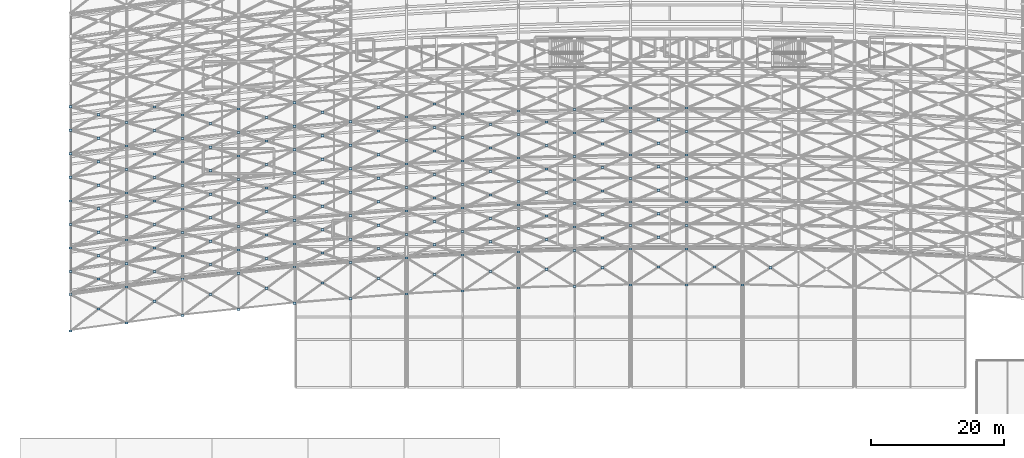
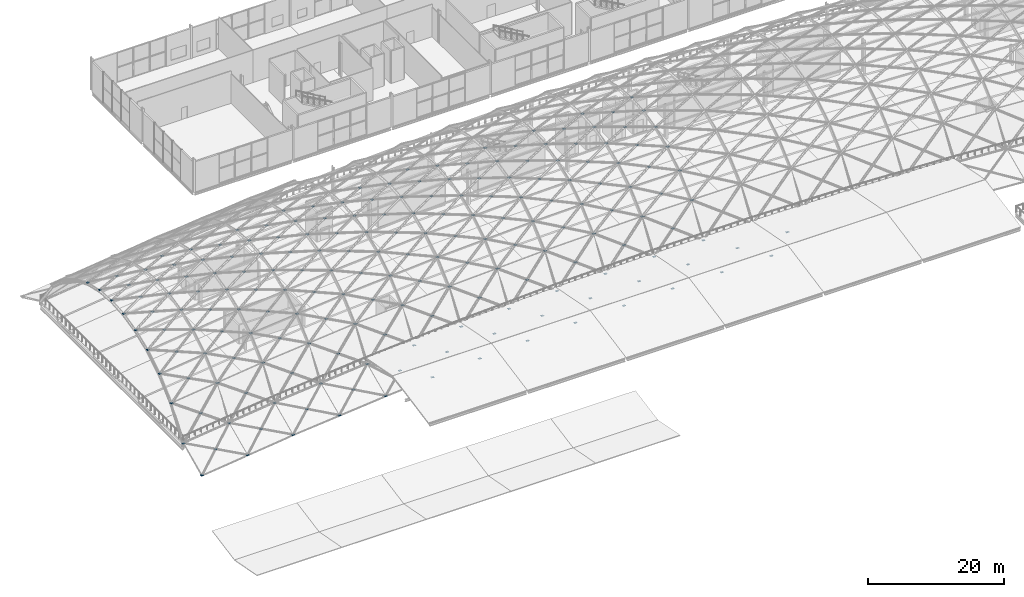
# One storey, part 73 of 100: 191 plates.
"""IFC4 building model written with IfcOpenShell, lengths in metres."""

from ifc_helpers import new_model, si_unit, direction, frame, origin, origin_2d, place, context, subcontext, project, spatial, rectangle, extrude, material, layer, layer_set, type_object, element, save


model = new_model("IFC4")

# Units and contexts
model_context = context("Model", 3, precision=1e-05, world=origin(), true_north=direction((0.0, 1.0)))
body_context = subcontext(model_context, "Body", "Model", "MODEL_VIEW")
ifc_project = project(units=[si_unit("LENGTHUNIT", "METRE"), si_unit("AREAUNIT", "SQUARE_METRE"), si_unit("VOLUMEUNIT", "CUBIC_METRE"), si_unit("PLANEANGLEUNIT", "RADIAN"), si_unit("MASSUNIT", "GRAM", prefix="KILO")], contexts=[model_context])

# Site, building, storey
site_placement = place(None, origin())
site = spatial("IfcSite", under=ifc_project, at=site_placement, CompositionType="ELEMENT")
building_placement = place(site_placement, origin())
building = spatial("IfcBuilding", under=site, at=building_placement, Name="Kimbaza Rail Terminus", CompositionType="ELEMENT")
storey_placement = place(building_placement, frame((0.0, 0.0, 10.800048828125)))
storey = spatial("IfcBuildingStorey", under=building, at=storey_placement, Name="L02", CompositionType="ELEMENT", Elevation=10.800048828125)

# Plates
ifc_material = material(Name="Steel S355", Category="steel")
ifc_layer = layer(ifc_material, 0.0400390625)
ifc_layer_set = layer_set([ifc_layer], Name="Steel S355")
plate_type = type_object("IfcPlateType", Name="STR-PL-NP01", PredefinedType="USERDEFINED", material=ifc_layer_set)
for number, where, z_axis, x_axis, name in (
    (1, (21.60009765625, 42.318115234375, -2.392578125), (0.0, 0.0, 1.0), (1.0, 0.0, 0.0), "Vault Node Cap Plate NP-01 VR-00/VA00"),
    (2, (21.60009765625, 47.751708984375, 0.044189453125), (0.0, 0.0, 1.0), (1.0, 0.0, 0.0), "Vault Node Cap Plate NP-01 VR-00/VA01"),
    (3, (21.60009765625, 51.24267578125, 5.147705078125), (0.0, 0.0, 1.0), (1.0, 0.0, 0.0), "Vault Node Cap Plate NP-01 VR-00/VA02"),
    (4, (21.60009765625, 54.769287109375, 8.330322265625), (0.0, 0.0, 1.0), (1.0, 0.0, 0.0), "Vault Node Cap Plate NP-01 VR-00/VA03"),
    (5, (21.60009765625, 58.296142578125, 10.479736328125), (0.0, 0.0, 1.0), (1.0, 0.0, 0.0), "Vault Node Cap Plate NP-01 VR-00/VA04"),
    (6, (21.60009765625, 61.82275390625, 11.89111328125), (0.0, 0.0, 1.0), (1.0, 0.0, 0.0), "Vault Node Cap Plate NP-01 VR-00/VA05"),
    (7, (21.60009765625, 65.349365234375, 12.697265625), (0.0, 0.0, 1.0), (1.0, 0.0, 0.0), "Vault Node Cap Plate NP-01 VR-00/VA06"),
    (8, (21.60009765625, 68.8759765625, 12.9599609375), (0.0, 0.0, 1.0), (1.0, 0.0, 0.0), "Vault Node Cap Plate NP-01 VR-00/VA07"),
    (9, (21.60009765625, 72.40283203125, 12.697265625), (0.0, 0.0, 1.0), (1.0, 0.0, 0.0), "Vault Node Cap Plate NP-01 VR-00/VA08"),
    (10, (21.60009765625, 75.929443359375, 11.89111328125), (0.0, 0.0, 1.0), (1.0, 0.0, 0.0), "Vault Node Cap Plate NP-01 VR-00/VA09"),
    (11, (30.0, 43.467041015625, -2.392578125), (0.0, 0.0, 1.0), (1.0, 0.0, 0.0), "Vault Node Cap Plate NP-01 VR-01/VA00"),
    (12, (30.0, 48.900390625, 0.044189453125), (0.0, 0.0, 1.0), (1.0, 0.0, 0.0), "Vault Node Cap Plate NP-01 VR-01/VA01"),
    (13, (30.0, 52.3916015625, 5.147705078125), (0.0, 0.0, 1.0), (1.0, 0.0, 0.0), "Vault Node Cap Plate NP-01 VR-01/VA02"),
    (14, (30.0, 55.918212890625, 8.330322265625), (0.0, 0.0, 1.0), (1.0, 0.0, 0.0), "Vault Node Cap Plate NP-01 VR-01/VA03"),
    (15, (30.0, 59.44482421875, 10.479736328125), (0.0, 0.0, 1.0), (1.0, 0.0, 0.0), "Vault Node Cap Plate NP-01 VR-01/VA04"),
    (16, (30.0, 62.971435546875, 11.89111328125), (0.0, 0.0, 1.0), (1.0, 0.0, 0.0), "Vault Node Cap Plate NP-01 VR-01/VA05"),
    (17, (30.0, 66.498046875, 12.697265625), (0.0, 0.0, 1.0), (1.0, 0.0, 0.0), "Vault Node Cap Plate NP-01 VR-01/VA06"),
    (18, (30.0, 70.02490234375, 12.9599609375), (0.0, 0.0, 1.0), (1.0, 0.0, 0.0), "Vault Node Cap Plate NP-01 VR-01/VA07"),
    (19, (30.0, 73.551513671875, 12.697265625), (0.0, 0.0, 1.0), (1.0, 0.0, 0.0), "Vault Node Cap Plate NP-01 VR-01/VA08"),
    (20, (38.39990234375, 44.61572265625, -2.392578125), (0.0, 0.0, 1.0), (1.0, 0.0, 0.0), "Vault Node Cap Plate NP-01 VR-02/VA00"),
    (21, (38.39990234375, 50.049072265625, 0.044189453125), (0.0, 0.0, 1.0), (1.0, 0.0, 0.0), "Vault Node Cap Plate NP-01 VR-02/VA01"),
    (22, (38.39990234375, 53.540283203125, 5.147705078125), (0.0, 0.0, 1.0), (1.0, 0.0, 0.0), "Vault Node Cap Plate NP-01 VR-02/VA02"),
    (23, (38.39990234375, 57.06689453125, 8.330322265625), (0.0, 0.0, 1.0), (1.0, 0.0, 0.0), "Vault Node Cap Plate NP-01 VR-02/VA03"),
    (24, (38.39990234375, 60.593505859375, 10.479736328125), (0.0, 0.0, 1.0), (1.0, 0.0, 0.0), "Vault Node Cap Plate NP-01 VR-02/VA04"),
    (25, (38.39990234375, 64.120361328125, 11.89111328125), (0.0, 0.0, 1.0), (1.0, 0.0, 0.0), "Vault Node Cap Plate NP-01 VR-02/VA05"),
    (26, (38.39990234375, 67.64697265625, 12.697265625), (0.0, 0.0, 1.0), (1.0, 0.0, 0.0), "Vault Node Cap Plate NP-01 VR-02/VA06"),
    (27, (38.39990234375, 71.173583984375, 12.9599609375), (0.0, 0.0, 1.0), (1.0, 0.0, 0.0), "Vault Node Cap Plate NP-01 VR-02/VA07"),
    (28, (38.39990234375, 74.7001953125, 12.697265625), (0.0, 0.0, 1.0), (1.0, 0.0, 0.0), "Vault Node Cap Plate NP-01 VR-02/VA08"),
    (29, (46.800048828125, 45.53173828125, -2.392578125), (0.0, 0.0, 1.0), (1.0, 0.0, 0.0), "Vault Node Cap Plate NP-01 VR-03/VA00"),
    (30, (46.800048828125, 50.965087890625, 0.044189453125), (0.0, 0.0, 1.0), (1.0, 0.0, 0.0), "Vault Node Cap Plate NP-01 VR-03/VA01"),
    (31, (46.800048828125, 54.456298828125, 5.147705078125), (0.0, 0.0, 1.0), (1.0, 0.0, 0.0), "Vault Node Cap Plate NP-01 VR-03/VA02"),
    (32, (46.800048828125, 57.98291015625, 8.330322265625), (0.0, 0.0, 1.0), (1.0, 0.0, 0.0), "Vault Node Cap Plate NP-01 VR-03/VA03"),
    (33, (46.800048828125, 61.509521484375, 10.479736328125), (0.0, 0.0, 1.0), (1.0, 0.0, 0.0), "Vault Node Cap Plate NP-01 VR-03/VA04"),
    (34, (46.800048828125, 65.0361328125, 11.89111328125), (0.0, 0.0, 1.0), (1.0, 0.0, 0.0), "Vault Node Cap Plate NP-01 VR-03/VA05"),
    (35, (46.800048828125, 68.562744140625, 12.697265625), (0.0, 0.0, 1.0), (1.0, 0.0, 0.0), "Vault Node Cap Plate NP-01 VR-03/VA06"),
    (36, (46.800048828125, 72.089599609375, 12.9599609375), (0.0, 0.0, 1.0), (1.0, 0.0, 0.0), "Vault Node Cap Plate NP-01 VR-03/VA07"),
    (37, (46.800048828125, 75.6162109375, 12.697265625), (0.0, 0.0, 1.0), (1.0, 0.0, 0.0), "Vault Node Cap Plate NP-01 VR-03/VA08"),
    (38, (55.199951171875, 46.447509765625, -2.392578125), (0.0, 0.0, 1.0), (1.0, 0.0, 0.0), "Vault Node Cap Plate NP-01 VR-04/VA00"),
    (39, (55.199951171875, 51.881103515625, 0.044189453125), (0.0, 0.0, 1.0), (1.0, 0.0, 0.0), "Vault Node Cap Plate NP-01 VR-04/VA01"),
    (40, (55.199951171875, 55.3720703125, 5.147705078125), (0.0, 0.0, 1.0), (1.0, 0.0, 0.0), "Vault Node Cap Plate NP-01 VR-04/VA02"),
    (41, (55.199951171875, 58.898681640625, 8.330322265625), (0.0, 0.0, 1.0), (1.0, 0.0, 0.0), "Vault Node Cap Plate NP-01 VR-04/VA03"),
    (42, (55.199951171875, 62.425537109375, 10.479736328125), (0.0, 0.0, 1.0), (1.0, 0.0, 0.0), "Vault Node Cap Plate NP-01 VR-04/VA04"),
    (43, (55.199951171875, 65.9521484375, 11.89111328125), (0.0, 0.0, 1.0), (1.0, 0.0, 0.0), "Vault Node Cap Plate NP-01 VR-04/VA05"),
    (44, (55.199951171875, 69.478759765625, 12.697265625), (0.0, 0.0, 1.0), (1.0, 0.0, 0.0), "Vault Node Cap Plate NP-01 VR-04/VA06"),
    (45, (55.199951171875, 73.00537109375, 12.9599609375), (0.0, 0.0, 1.0), (1.0, 0.0, 0.0), "Vault Node Cap Plate NP-01 VR-04/VA07"),
    (46, (55.199951171875, 76.531982421875, 12.697265625), (0.0, 0.0, 1.0), (1.0, 0.0, 0.0), "Vault Node Cap Plate NP-01 VR-04/VA08"),
    (47, (63.60009765625, 47.1328125, -2.392578125), (0.0, 0.0, 1.0), (1.0, 0.0, 0.0), "Vault Node Cap Plate NP-01 VR-05/VA00"),
    (48, (63.60009765625, 52.566162109375, 0.044189453125), (0.0, 0.0, 1.0), (1.0, 0.0, 0.0), "Vault Node Cap Plate NP-01 VR-05/VA01"),
    (49, (63.60009765625, 56.057373046875, 5.147705078125), (0.0, 0.0, 1.0), (1.0, 0.0, 0.0), "Vault Node Cap Plate NP-01 VR-05/VA02"),
    (50, (63.60009765625, 59.583984375, 8.330322265625), (0.0, 0.0, 1.0), (1.0, 0.0, 0.0), "Vault Node Cap Plate NP-01 VR-05/VA03"),
    (51, (63.60009765625, 63.110595703125, 10.479736328125), (0.0, 0.0, 1.0), (1.0, 0.0, 0.0), "Vault Node Cap Plate NP-01 VR-05/VA04"),
    (52, (63.60009765625, 66.63720703125, 11.89111328125), (0.0, 0.0, 1.0), (1.0, 0.0, 0.0), "Vault Node Cap Plate NP-01 VR-05/VA05"),
    (53, (63.60009765625, 70.1640625, 12.697265625), (0.0, 0.0, 1.0), (1.0, 0.0, 0.0), "Vault Node Cap Plate NP-01 VR-05/VA06"),
    (54, (63.60009765625, 73.690673828125, 12.9599609375), (0.0, 0.0, 1.0), (1.0, 0.0, 0.0), "Vault Node Cap Plate NP-01 VR-05/VA07"),
    (55, (72.0, 47.81787109375, -2.392578125), (0.0, 0.0, 1.0), (1.0, 0.0, 0.0), "Vault Node Cap Plate NP-01 VR-06/VA00"),
    (56, (72.0, 53.251220703125, 0.044189453125), (0.0, 0.0, 1.0), (1.0, 0.0, 0.0), "Vault Node Cap Plate NP-01 VR-06/VA01"),
    (57, (72.0, 56.742431640625, 5.147705078125), (0.0, 0.0, 1.0), (1.0, 0.0, 0.0), "Vault Node Cap Plate NP-01 VR-06/VA02"),
    (58, (72.0, 60.26904296875, 8.330322265625), (0.0, 0.0, 1.0), (1.0, 0.0, 0.0), "Vault Node Cap Plate NP-01 VR-06/VA03"),
    (59, (72.0, 63.7958984375, 10.479736328125), (0.0, 0.0, 1.0), (1.0, 0.0, 0.0), "Vault Node Cap Plate NP-01 VR-06/VA04"),
    (60, (72.0, 67.322509765625, 11.89111328125), (0.0, 0.0, 1.0), (1.0, 0.0, 0.0), "Vault Node Cap Plate NP-01 VR-06/VA05"),
    (61, (72.0, 70.84912109375, 12.697265625), (0.0, 0.0, 1.0), (1.0, 0.0, 0.0), "Vault Node Cap Plate NP-01 VR-06/VA06"),
    (62, (72.0, 74.375732421875, 12.9599609375), (0.0, 0.0, 1.0), (1.0, 0.0, 0.0), "Vault Node Cap Plate NP-01 VR-06/VA07"),
    (63, (80.39990234375, 48.27392578125, -2.392578125), (0.0, 0.0, 1.0), (1.0, 0.0, 0.0), "Vault Node Cap Plate NP-01 VR-07/VA00"),
    (64, (80.39990234375, 53.707275390625, 0.044189453125), (0.0, 0.0, 1.0), (1.0, 0.0, 0.0), "Vault Node Cap Plate NP-01 VR-07/VA01"),
    (65, (80.39990234375, 57.198486328125, 5.147705078125), (0.0, 0.0, 1.0), (1.0, 0.0, 0.0), "Vault Node Cap Plate NP-01 VR-07/VA02"),
    (66, (80.39990234375, 60.72509765625, 8.330322265625), (0.0, 0.0, 1.0), (1.0, 0.0, 0.0), "Vault Node Cap Plate NP-01 VR-07/VA03"),
    (67, (80.39990234375, 64.251708984375, 10.479736328125), (0.0, 0.0, 1.0), (1.0, 0.0, 0.0), "Vault Node Cap Plate NP-01 VR-07/VA04"),
    (68, (80.39990234375, 67.7783203125, 11.89111328125), (0.0, 0.0, 1.0), (1.0, 0.0, 0.0), "Vault Node Cap Plate NP-01 VR-07/VA05"),
    (69, (80.39990234375, 71.30517578125, 12.697265625), (0.0, 0.0, 1.0), (1.0, 0.0, 0.0), "Vault Node Cap Plate NP-01 VR-07/VA06"),
    (70, (80.39990234375, 74.831787109375, 12.9599609375), (0.0, 0.0, 1.0), (1.0, 0.0, 0.0), "Vault Node Cap Plate NP-01 VR-07/VA07"),
    (71, (88.800048828125, 48.729736328125, -2.392578125), (0.0, 0.0, 1.0), (1.0, 0.0, 0.0), "Vault Node Cap Plate NP-01 VR-08/VA00"),
    (72, (88.800048828125, 54.163330078125, 0.044189453125), (0.0, 0.0, 1.0), (1.0, 0.0, 0.0), "Vault Node Cap Plate NP-01 VR-08/VA01"),
    (73, (88.800048828125, 57.654296875, 5.147705078125), (0.0, 0.0, 1.0), (1.0, 0.0, 0.0), "Vault Node Cap Plate NP-01 VR-08/VA02"),
    (74, (88.800048828125, 61.180908203125, 8.330322265625), (0.0, 0.0, 1.0), (1.0, 0.0, 0.0), "Vault Node Cap Plate NP-01 VR-08/VA03"),
    (75, (88.800048828125, 64.707763671875, 10.479736328125), (0.0, 0.0, 1.0), (1.0, 0.0, 0.0), "Vault Node Cap Plate NP-01 VR-08/VA04"),
    (76, (88.800048828125, 68.234375, 11.89111328125), (0.0, 0.0, 1.0), (1.0, 0.0, 0.0), "Vault Node Cap Plate NP-01 VR-08/VA05"),
    (77, (88.800048828125, 71.760986328125, 12.697265625), (0.0, 0.0, 1.0), (1.0, 0.0, 0.0), "Vault Node Cap Plate NP-01 VR-08/VA06"),
    (78, (88.800048828125, 75.28759765625, 12.9599609375), (0.0, 0.0, 1.0), (1.0, 0.0, 0.0), "Vault Node Cap Plate NP-01 VR-08/VA07"),
    (79, (97.199951171875, 48.95751953125, -2.392578125), (0.0, 0.0, 1.0), (1.0, 0.0, 0.0), "Vault Node Cap Plate NP-01 VR-09/VA00"),
    (80, (97.199951171875, 54.390869140625, 0.044189453125), (0.0, 0.0, 1.0), (1.0, 0.0, 0.0), "Vault Node Cap Plate NP-01 VR-09/VA01"),
    (81, (97.199951171875, 57.882080078125, 5.147705078125), (0.0, 0.0, 1.0), (1.0, 0.0, 0.0), "Vault Node Cap Plate NP-01 VR-09/VA02"),
    (82, (97.199951171875, 61.40869140625, 8.330322265625), (0.0, 0.0, 1.0), (1.0, 0.0, 0.0), "Vault Node Cap Plate NP-01 VR-09/VA03"),
    (83, (97.199951171875, 64.935302734375, 10.479736328125), (0.0, 0.0, 1.0), (1.0, 0.0, 0.0), "Vault Node Cap Plate NP-01 VR-09/VA04"),
    (84, (97.199951171875, 68.462158203125, 11.89111328125), (0.0, 0.0, 1.0), (1.0, 0.0, 0.0), "Vault Node Cap Plate NP-01 VR-09/VA05"),
    (85, (97.199951171875, 71.98876953125, 12.697265625), (0.0, 0.0, 1.0), (1.0, 0.0, 0.0), "Vault Node Cap Plate NP-01 VR-09/VA06"),
    (86, (97.199951171875, 75.515380859375, 12.9599609375), (0.0, 0.0, 1.0), (1.0, 0.0, 0.0), "Vault Node Cap Plate NP-01 VR-09/VA07"),
    (87, (105.60009765625, 49.185302734375, -2.392578125), (0.0, 0.0, 1.0), (1.0, 0.0, 0.0), "Vault Node Cap Plate NP-01 VR-10/VA00"),
    (88, (105.60009765625, 54.61865234375, 0.044189453125), (0.0, 0.0, 1.0), (1.0, 0.0, 0.0), "Vault Node Cap Plate NP-01 VR-10/VA01"),
    (89, (105.60009765625, 58.10986328125, 5.147705078125), (0.0, 0.0, 1.0), (1.0, 0.0, 0.0), "Vault Node Cap Plate NP-01 VR-10/VA02"),
    (90, (105.60009765625, 61.636474609375, 8.330322265625), (0.0, 0.0, 1.0), (1.0, 0.0, 0.0), "Vault Node Cap Plate NP-01 VR-10/VA03"),
    (91, (105.60009765625, 65.1630859375, 10.479736328125), (0.0, 0.0, 1.0), (1.0, 0.0, 0.0), "Vault Node Cap Plate NP-01 VR-10/VA04"),
    (92, (105.60009765625, 68.689697265625, 11.89111328125), (0.0, 0.0, 1.0), (1.0, 0.0, 0.0), "Vault Node Cap Plate NP-01 VR-10/VA05"),
    (93, (105.60009765625, 72.21630859375, 12.697265625), (0.0, 0.0, 1.0), (1.0, 0.0, 0.0), "Vault Node Cap Plate NP-01 VR-10/VA06"),
    (94, (105.60009765625, 75.7431640625, 12.9599609375), (0.0, 0.0, 1.0), (1.0, 0.0, 0.0), "Vault Node Cap Plate NP-01 VR-10/VA07"),
    (95, (114.0, 49.185302734375, -2.392578125), (0.0, 0.0, 1.0), (1.0, 0.0, 0.0), "Vault Node Cap Plate NP-01 VR-11/VA00"),
    (96, (114.0, 54.61865234375, 0.044189453125), (0.0, 0.0, 1.0), (1.0, 0.0, 0.0), "Vault Node Cap Plate NP-01 VR-11/VA01"),
    (97, (114.0, 58.10986328125, 5.147705078125), (0.0, 0.0, 1.0), (1.0, 0.0, 0.0), "Vault Node Cap Plate NP-01 VR-11/VA02"),
    (98, (114.0, 61.636474609375, 8.330322265625), (0.0, 0.0, 1.0), (1.0, 0.0, 0.0), "Vault Node Cap Plate NP-01 VR-11/VA03"),
    (99, (114.0, 65.1630859375, 10.479736328125), (0.0, 0.0, 1.0), (1.0, 0.0, 0.0), "Vault Node Cap Plate NP-01 VR-11/VA04"),
    (100, (114.0, 68.689697265625, 11.89111328125), (0.0, 0.0, 1.0), (1.0, 0.0, 0.0), "Vault Node Cap Plate NP-01 VR-11/VA05"),
    (101, (114.0, 72.21630859375, 12.697265625), (0.0, 0.0, 1.0), (1.0, 0.0, 0.0), "Vault Node Cap Plate NP-01 VR-11/VA06"),
    (102, (114.0, 75.7431640625, 12.9599609375), (0.0, 0.0, 1.0), (1.0, 0.0, 0.0), "Vault Node Cap Plate NP-01 VR-11/VA07"),
    (103, (122.39990234375, 49.185302734375, -2.392578125), (0.0, 0.0, 1.0), (1.0, 0.0, 0.0), "Vault Node Cap Plate NP-01 VR-12/VA00"),
    (104, (25.800048828125, 45.609375, -1.17431640625), (0.0, 0.0, 1.0), (1.0, 0.0, 0.0), "Vault Crossing Saddle Node Plate NP-01 VR-00/VA00"),
    (105, (25.800048828125, 50.071533203125, 2.595947265625), (0.0, 0.0, 1.0), (1.0, 0.0, 0.0), "Vault Crossing Saddle Node Plate NP-01 VR-00/VA01"),
    (106, (25.800048828125, 53.580322265625, 6.739013671875), (0.0, 0.0, 1.0), (1.0, 0.0, 0.0), "Vault Crossing Saddle Node Plate NP-01 VR-00/VA02"),
    (107, (25.800048828125, 57.107177734375, 9.405029296875), (0.0, 0.0, 1.0), (1.0, 0.0, 0.0), "Vault Crossing Saddle Node Plate NP-01 VR-00/VA03"),
    (108, (25.800048828125, 60.6337890625, 11.185546875), (0.0, 0.0, 1.0), (1.0, 0.0, 0.0), "Vault Crossing Saddle Node Plate NP-01 VR-00/VA04"),
    (109, (25.800048828125, 64.160400390625, 12.294189453125), (0.0, 0.0, 1.0), (1.0, 0.0, 0.0), "Vault Crossing Saddle Node Plate NP-01 VR-00/VA05"),
    (110, (25.800048828125, 67.68701171875, 12.82861328125), (0.0, 0.0, 1.0), (1.0, 0.0, 0.0), "Vault Crossing Saddle Node Plate NP-01 VR-00/VA06"),
    (111, (25.800048828125, 71.2138671875, 12.82861328125), (0.0, 0.0, 1.0), (1.0, 0.0, 0.0), "Vault Crossing Saddle Node Plate NP-01 VR-00/VA07"),
    (112, (25.800048828125, 74.740478515625, 12.294189453125), (0.0, 0.0, 1.0), (1.0, 0.0, 0.0), "Vault Crossing Saddle Node Plate NP-01 VR-00/VA08"),
    (113, (34.199951171875, 46.758056640625, -1.17431640625), (0.0, 0.0, 1.0), (1.0, 0.0, 0.0), "Vault Crossing Saddle Node Plate NP-01 VR-01/VA00"),
    (114, (34.199951171875, 51.22021484375, 2.595947265625), (0.0, 0.0, 1.0), (1.0, 0.0, 0.0), "Vault Crossing Saddle Node Plate NP-01 VR-01/VA01"),
    (115, (34.199951171875, 54.729248046875, 6.739013671875), (0.0, 0.0, 1.0), (1.0, 0.0, 0.0), "Vault Crossing Saddle Node Plate NP-01 VR-01/VA02"),
    (116, (34.199951171875, 58.255859375, 9.405029296875), (0.0, 0.0, 1.0), (1.0, 0.0, 0.0), "Vault Crossing Saddle Node Plate NP-01 VR-01/VA03"),
    (117, (34.199951171875, 61.782470703125, 11.185546875), (0.0, 0.0, 1.0), (1.0, 0.0, 0.0), "Vault Crossing Saddle Node Plate NP-01 VR-01/VA04"),
    (118, (34.199951171875, 65.30908203125, 12.294189453125), (0.0, 0.0, 1.0), (1.0, 0.0, 0.0), "Vault Crossing Saddle Node Plate NP-01 VR-01/VA05"),
    (119, (34.199951171875, 68.8359375, 12.82861328125), (0.0, 0.0, 1.0), (1.0, 0.0, 0.0), "Vault Crossing Saddle Node Plate NP-01 VR-01/VA06"),
    (120, (34.199951171875, 72.362548828125, 12.82861328125), (0.0, 0.0, 1.0), (1.0, 0.0, 0.0), "Vault Crossing Saddle Node Plate NP-01 VR-01/VA07"),
    (121, (34.199951171875, 75.88916015625, 12.294189453125), (0.0, 0.0, 1.0), (1.0, 0.0, 0.0), "Vault Crossing Saddle Node Plate NP-01 VR-01/VA08"),
    (122, (42.60009765625, 47.79052734375, -1.17431640625), (0.0, 0.0, 1.0), (1.0, 0.0, 0.0), "Vault Crossing Saddle Node Plate NP-01 VR-02/VA00"),
    (123, (42.60009765625, 52.252685546875, 2.595947265625), (0.0, 0.0, 1.0), (1.0, 0.0, 0.0), "Vault Crossing Saddle Node Plate NP-01 VR-02/VA01"),
    (124, (42.60009765625, 55.761474609375, 6.739013671875), (0.0, 0.0, 1.0), (1.0, 0.0, 0.0), "Vault Crossing Saddle Node Plate NP-01 VR-02/VA02"),
    (125, (42.60009765625, 59.288330078125, 9.405029296875), (0.0, 0.0, 1.0), (1.0, 0.0, 0.0), "Vault Crossing Saddle Node Plate NP-01 VR-02/VA03"),
    (126, (42.60009765625, 62.81494140625, 11.185546875), (0.0, 0.0, 1.0), (1.0, 0.0, 0.0), "Vault Crossing Saddle Node Plate NP-01 VR-02/VA04"),
    (127, (42.60009765625, 66.341552734375, 12.294189453125), (0.0, 0.0, 1.0), (1.0, 0.0, 0.0), "Vault Crossing Saddle Node Plate NP-01 VR-02/VA05"),
    (128, (42.60009765625, 69.8681640625, 12.82861328125), (0.0, 0.0, 1.0), (1.0, 0.0, 0.0), "Vault Crossing Saddle Node Plate NP-01 VR-02/VA06"),
    (129, (42.60009765625, 73.394775390625, 12.82861328125), (0.0, 0.0, 1.0), (1.0, 0.0, 0.0), "Vault Crossing Saddle Node Plate NP-01 VR-02/VA07"),
    (130, (51.0, 48.706298828125, -1.17431640625), (0.0, 0.0, 1.0), (1.0, 0.0, 0.0), "Vault Crossing Saddle Node Plate NP-01 VR-03/VA00"),
    (131, (51.0, 53.168701171875, 2.595947265625), (0.0, 0.0, 1.0), (1.0, 0.0, 0.0), "Vault Crossing Saddle Node Plate NP-01 VR-03/VA01"),
    (132, (51.0, 56.677490234375, 6.739013671875), (0.0, 0.0, 1.0), (1.0, 0.0, 0.0), "Vault Crossing Saddle Node Plate NP-01 VR-03/VA02"),
    (133, (51.0, 60.2041015625, 9.405029296875), (0.0, 0.0, 1.0), (1.0, 0.0, 0.0), "Vault Crossing Saddle Node Plate NP-01 VR-03/VA03"),
    (134, (51.0, 63.730712890625, 11.185546875), (0.0, 0.0, 1.0), (1.0, 0.0, 0.0), "Vault Crossing Saddle Node Plate NP-01 VR-03/VA04"),
    (135, (51.0, 67.257568359375, 12.294189453125), (0.0, 0.0, 1.0), (1.0, 0.0, 0.0), "Vault Crossing Saddle Node Plate NP-01 VR-03/VA05"),
    (136, (51.0, 70.7841796875, 12.82861328125), (0.0, 0.0, 1.0), (1.0, 0.0, 0.0), "Vault Crossing Saddle Node Plate NP-01 VR-03/VA06"),
    (137, (51.0, 74.310791015625, 12.82861328125), (0.0, 0.0, 1.0), (1.0, 0.0, 0.0), "Vault Crossing Saddle Node Plate NP-01 VR-03/VA07"),
    (138, (59.39990234375, 49.5068359375, -1.17431640625), (0.0, 0.0, 1.0), (1.0, 0.0, 0.0), "Vault Crossing Saddle Node Plate NP-01 VR-04/VA00"),
    (139, (59.39990234375, 53.96923828125, 2.595947265625), (0.0, 0.0, 1.0), (1.0, 0.0, 0.0), "Vault Crossing Saddle Node Plate NP-01 VR-04/VA01"),
    (140, (59.39990234375, 57.47802734375, 6.739013671875), (0.0, 0.0, 1.0), (1.0, 0.0, 0.0), "Vault Crossing Saddle Node Plate NP-01 VR-04/VA02"),
    (141, (59.39990234375, 61.004638671875, 9.405029296875), (0.0, 0.0, 1.0), (1.0, 0.0, 0.0), "Vault Crossing Saddle Node Plate NP-01 VR-04/VA03"),
    (142, (59.39990234375, 64.53125, 11.185546875), (0.0, 0.0, 1.0), (1.0, 0.0, 0.0), "Vault Crossing Saddle Node Plate NP-01 VR-04/VA04"),
    (143, (59.39990234375, 68.05810546875, 12.294189453125), (0.0, 0.0, 1.0), (1.0, 0.0, 0.0), "Vault Crossing Saddle Node Plate NP-01 VR-04/VA05"),
    (144, (59.39990234375, 71.584716796875, 12.82861328125), (0.0, 0.0, 1.0), (1.0, 0.0, 0.0), "Vault Crossing Saddle Node Plate NP-01 VR-04/VA06"),
    (145, (59.39990234375, 75.111328125, 12.82861328125), (0.0, 0.0, 1.0), (1.0, 0.0, 0.0), "Vault Crossing Saddle Node Plate NP-01 VR-04/VA07"),
    (146, (67.800048828125, 50.192138671875, -1.17431640625), (0.0, 0.0, 1.0), (1.0, 0.0, 0.0), "Vault Crossing Saddle Node Plate NP-01 VR-05/VA00"),
    (147, (67.800048828125, 54.654296875, 2.595947265625), (0.0, 0.0, 1.0), (1.0, 0.0, 0.0), "Vault Crossing Saddle Node Plate NP-01 VR-05/VA01"),
    (148, (67.800048828125, 58.163330078125, 6.739013671875), (0.0, 0.0, 1.0), (1.0, 0.0, 0.0), "Vault Crossing Saddle Node Plate NP-01 VR-05/VA02"),
    (149, (67.800048828125, 61.68994140625, 9.405029296875), (0.0, 0.0, 1.0), (1.0, 0.0, 0.0), "Vault Crossing Saddle Node Plate NP-01 VR-05/VA03"),
    (150, (67.800048828125, 65.216552734375, 11.185546875), (0.0, 0.0, 1.0), (1.0, 0.0, 0.0), "Vault Crossing Saddle Node Plate NP-01 VR-05/VA04"),
    (151, (67.800048828125, 68.7431640625, 12.294189453125), (0.0, 0.0, 1.0), (1.0, 0.0, 0.0), "Vault Crossing Saddle Node Plate NP-01 VR-05/VA05"),
    (152, (67.800048828125, 72.269775390625, 12.82861328125), (0.0, 0.0, 1.0), (1.0, 0.0, 0.0), "Vault Crossing Saddle Node Plate NP-01 VR-05/VA06"),
    (153, (67.800048828125, 75.796630859375, 12.82861328125), (0.0, 0.0, 1.0), (1.0, 0.0, 0.0), "Vault Crossing Saddle Node Plate NP-01 VR-05/VA07"),
    (154, (76.199951171875, 50.7626953125, -1.17431640625), (0.0, 0.0, 1.0), (1.0, 0.0, 0.0), "Vault Crossing Saddle Node Plate NP-01 VR-06/VA00"),
    (155, (76.199951171875, 55.224853515625, 2.595947265625), (0.0, 0.0, 1.0), (1.0, 0.0, 0.0), "Vault Crossing Saddle Node Plate NP-01 VR-06/VA01"),
    (156, (76.199951171875, 58.733642578125, 6.739013671875), (0.0, 0.0, 1.0), (1.0, 0.0, 0.0), "Vault Crossing Saddle Node Plate NP-01 VR-06/VA02"),
    (157, (76.199951171875, 62.260498046875, 9.405029296875), (0.0, 0.0, 1.0), (1.0, 0.0, 0.0), "Vault Crossing Saddle Node Plate NP-01 VR-06/VA03"),
    (158, (76.199951171875, 65.787109375, 11.185546875), (0.0, 0.0, 1.0), (1.0, 0.0, 0.0), "Vault Crossing Saddle Node Plate NP-01 VR-06/VA04"),
    (159, (76.199951171875, 69.313720703125, 12.294189453125), (0.0, 0.0, 1.0), (1.0, 0.0, 0.0), "Vault Crossing Saddle Node Plate NP-01 VR-06/VA05"),
    (160, (76.199951171875, 72.84033203125, 12.82861328125), (0.0, 0.0, 1.0), (1.0, 0.0, 0.0), "Vault Crossing Saddle Node Plate NP-01 VR-06/VA06"),
    (161, (76.199951171875, 76.3671875, 12.82861328125), (0.0, 0.0, 1.0), (1.0, 0.0, 0.0), "Vault Crossing Saddle Node Plate NP-01 VR-06/VA07"),
    (162, (84.60009765625, 51.218505859375, -1.17431640625), (0.0, 0.0, 1.0), (1.0, 0.0, 0.0), "Vault Crossing Saddle Node Plate NP-01 VR-07/VA00"),
    (163, (84.60009765625, 55.680908203125, 2.595947265625), (0.0, 0.0, 1.0), (1.0, 0.0, 0.0), "Vault Crossing Saddle Node Plate NP-01 VR-07/VA01"),
    (164, (84.60009765625, 59.189697265625, 6.739013671875), (0.0, 0.0, 1.0), (1.0, 0.0, 0.0), "Vault Crossing Saddle Node Plate NP-01 VR-07/VA02"),
    (165, (84.60009765625, 62.71630859375, 9.405029296875), (0.0, 0.0, 1.0), (1.0, 0.0, 0.0), "Vault Crossing Saddle Node Plate NP-01 VR-07/VA03"),
    (166, (84.60009765625, 66.242919921875, 11.185546875), (0.0, 0.0, 1.0), (1.0, 0.0, 0.0), "Vault Crossing Saddle Node Plate NP-01 VR-07/VA04"),
    (167, (84.60009765625, 69.769775390625, 12.294189453125), (0.0, 0.0, 1.0), (1.0, 0.0, 0.0), "Vault Crossing Saddle Node Plate NP-01 VR-07/VA05"),
    (168, (84.60009765625, 73.29638671875, 12.82861328125), (0.0, 0.0, 1.0), (1.0, 0.0, 0.0), "Vault Crossing Saddle Node Plate NP-01 VR-07/VA06"),
    (169, (93.0, 51.560302734375, -1.17431640625), (0.0, 0.0, 1.0), (1.0, 0.0, 0.0), "Vault Crossing Saddle Node Plate NP-01 VR-08/VA00"),
    (170, (93.0, 56.022705078125, 2.595947265625), (0.0, 0.0, 1.0), (1.0, 0.0, 0.0), "Vault Crossing Saddle Node Plate NP-01 VR-08/VA01"),
    (171, (93.0, 59.531494140625, 6.739013671875), (0.0, 0.0, 1.0), (1.0, 0.0, 0.0), "Vault Crossing Saddle Node Plate NP-01 VR-08/VA02"),
    (172, (93.0, 63.05810546875, 9.405029296875), (0.0, 0.0, 1.0), (1.0, 0.0, 0.0), "Vault Crossing Saddle Node Plate NP-01 VR-08/VA03"),
    (173, (93.0, 66.5849609375, 11.185546875), (0.0, 0.0, 1.0), (1.0, 0.0, 0.0), "Vault Crossing Saddle Node Plate NP-01 VR-08/VA04"),
    (174, (93.0, 70.111572265625, 12.294189453125), (0.0, 0.0, 1.0), (1.0, 0.0, 0.0), "Vault Crossing Saddle Node Plate NP-01 VR-08/VA05"),
    (175, (93.0, 73.63818359375, 12.82861328125), (0.0, 0.0, 1.0), (1.0, 0.0, 0.0), "Vault Crossing Saddle Node Plate NP-01 VR-08/VA06"),
    (176, (101.39990234375, 51.7880859375, -1.17431640625), (0.0, 0.0, 1.0), (1.0, 0.0, 0.0), "Vault Crossing Saddle Node Plate NP-01 VR-09/VA00"),
    (177, (101.39990234375, 56.250244140625, 2.595947265625), (0.0, 0.0, 1.0), (1.0, 0.0, 0.0), "Vault Crossing Saddle Node Plate NP-01 VR-09/VA01"),
    (178, (101.39990234375, 59.75927734375, 6.739013671875), (0.0, 0.0, 1.0), (1.0, 0.0, 0.0), "Vault Crossing Saddle Node Plate NP-01 VR-09/VA02"),
    (179, (101.39990234375, 63.285888671875, 9.405029296875), (0.0, 0.0, 1.0), (1.0, 0.0, 0.0), "Vault Crossing Saddle Node Plate NP-01 VR-09/VA03"),
    (180, (101.39990234375, 66.8125, 11.185546875), (0.0, 0.0, 1.0), (1.0, 0.0, 0.0), "Vault Crossing Saddle Node Plate NP-01 VR-09/VA04"),
    (181, (101.39990234375, 70.33935546875, 12.294189453125), (0.0, 0.0, 1.0), (1.0, 0.0, 0.0), "Vault Crossing Saddle Node Plate NP-01 VR-09/VA05"),
    (182, (101.39990234375, 73.865966796875, 12.82861328125), (0.0, 0.0, 1.0), (1.0, 0.0, 0.0), "Vault Crossing Saddle Node Plate NP-01 VR-09/VA06"),
    (183, (109.800048828125, 51.90185546875, -1.17431640625), (0.0, 0.0, 1.0), (1.0, 0.0, 0.0), "Vault Crossing Saddle Node Plate NP-01 VR-10/VA00"),
    (184, (109.800048828125, 56.3642578125, 2.595947265625), (0.0, 0.0, 1.0), (1.0, 0.0, 0.0), "Vault Crossing Saddle Node Plate NP-01 VR-10/VA01"),
    (185, (109.800048828125, 59.873046875, 6.739013671875), (0.0, 0.0, 1.0), (1.0, 0.0, 0.0), "Vault Crossing Saddle Node Plate NP-01 VR-10/VA02"),
    (186, (109.800048828125, 63.399658203125, 9.405029296875), (0.0, 0.0, 1.0), (1.0, 0.0, 0.0), "Vault Crossing Saddle Node Plate NP-01 VR-10/VA03"),
    (187, (109.800048828125, 66.926513671875, 11.185546875), (0.0, 0.0, 1.0), (1.0, 0.0, 0.0), "Vault Crossing Saddle Node Plate NP-01 VR-10/VA04"),
    (188, (109.800048828125, 70.453125, 12.294189453125), (0.0, 0.0, 1.0), (1.0, 0.0, 0.0), "Vault Crossing Saddle Node Plate NP-01 VR-10/VA05"),
    (189, (109.800048828125, 73.979736328125, 12.82861328125), (0.0, 0.0, 1.0), (1.0, 0.0, 0.0), "Vault Crossing Saddle Node Plate NP-01 VR-10/VA06"),
    (190, (118.199951171875, 51.90185546875, -1.17431640625), (0.0, 0.0, 1.0), (1.0, 0.0, 0.0), "Vault Crossing Saddle Node Plate NP-01 VR-11/VA00"),
    (191, (126.60009765625, 51.7880859375, -1.17431640625), (0.0, 0.0, 1.0), (1.0, 0.0, 0.0), "Vault Crossing Saddle Node Plate NP-01 VR-12/VA00"),
):
    element("IfcPlate", number, at=place(storey_placement, frame(where, z_axis=z_axis, x_axis=x_axis)), inside=storey, type_object=plate_type, Name=name, ObjectType="GUSSET PLATE", PredefinedType="USERDEFINED", context=body_context, shape_type="SweptSolid", body=[
        extrude(rectangle(XDim=0.43994140625, YDim=0.320068359375, at=origin_2d()), origin(), (0.0, 0.0, 1.0), 0.0400390625),
    ])

save(model, "model.ifc")
